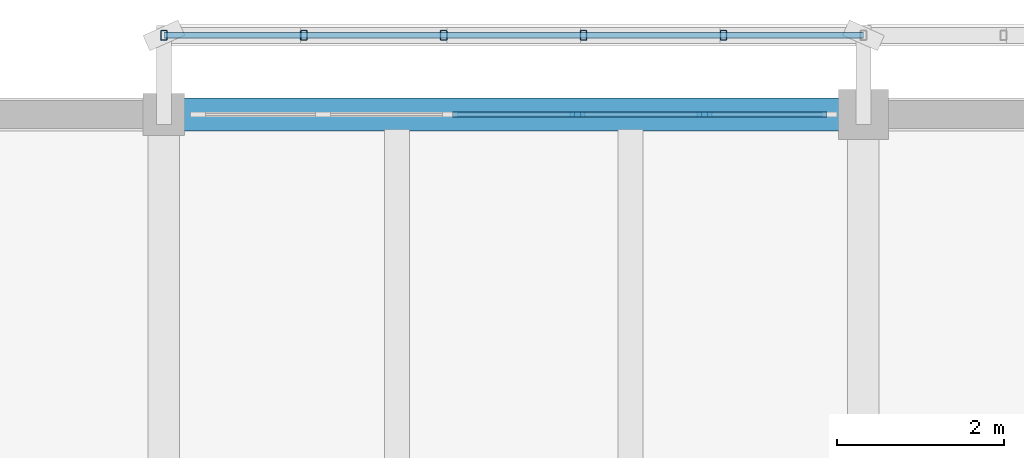
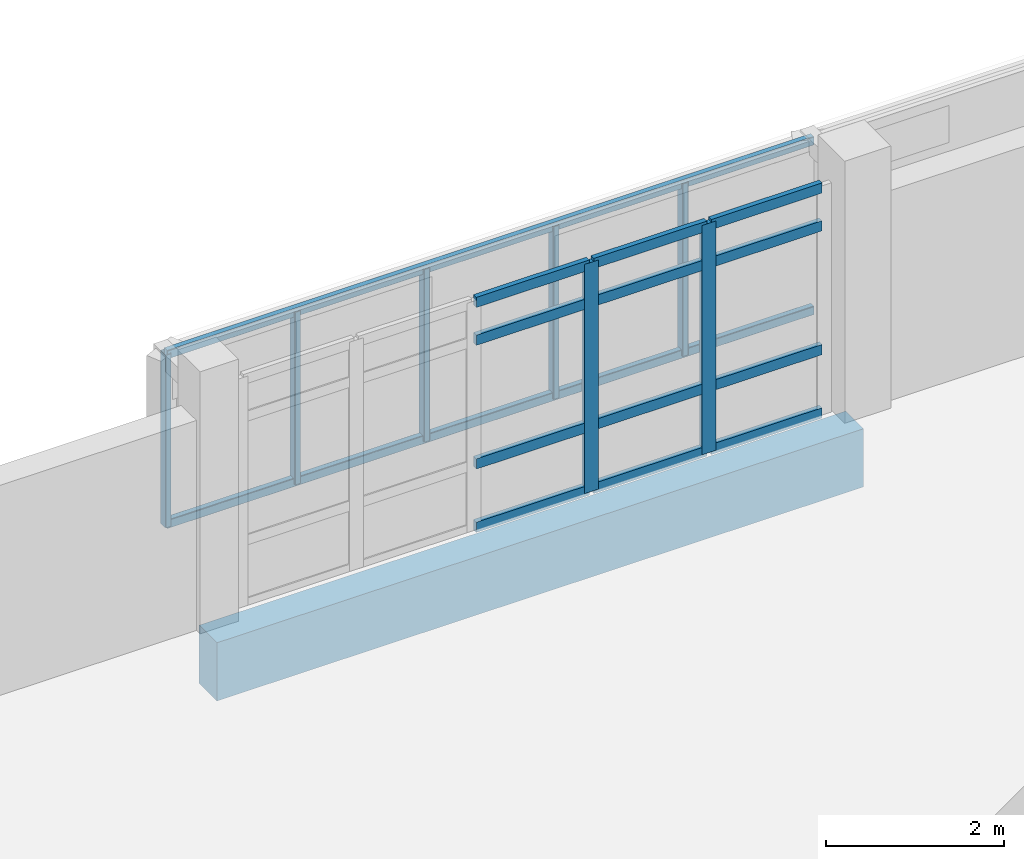
# One storey, part 18 of 50: 21 members, 1 beam, 1 element without a shape of its own.
"""IFC4 building model written with IfcOpenShell, lengths in metres."""

from ifc_helpers import new_model, si_unit, direction, frame, origin, origin_2d, place, context, subcontext, project, spatial, rectangle, hollow_rectangle, extrude, material, material_profile, profile_set, type_object, element, aggregate, save


model = new_model("IFC4")

# Units and contexts
model_context = context("Model", 3, precision=1e-05, world=origin(), true_north=direction((0.0, 1.0)))
body_context = subcontext(model_context, "Body", "Model", "MODEL_VIEW")
ifc_project = project(units=[si_unit("LENGTHUNIT", "METRE"), si_unit("AREAUNIT", "SQUARE_METRE"), si_unit("VOLUMEUNIT", "CUBIC_METRE"), si_unit("PLANEANGLEUNIT", "RADIAN"), si_unit("MASSUNIT", "GRAM", prefix="KILO")], contexts=[model_context])

# Site, building, storey
site_placement = place(None, origin())
site = spatial("IfcSite", under=ifc_project, at=site_placement, CompositionType="ELEMENT")
building_placement = place(site_placement, origin())
building = spatial("IfcBuilding", under=site, at=building_placement, Name="Cinderway Yard Community Centre", CompositionType="ELEMENT")
storey_placement = place(building_placement, frame((0.0, 0.0, 12.89990234375)))
storey = spatial("IfcBuildingStorey", under=building, at=storey_placement, Name="L03", CompositionType="ELEMENT", Elevation=12.89990234375)

# Curtain wall, members
ifc_material_1 = material(Name="Aluminium 6063-T6", Category="aluminium")
curtain_wall_type = type_object("IfcCurtainWallType", Name="ENV-CW-TYPE-32", PredefinedType="USERDEFINED", material=ifc_material_1)
curtain_wall_placement = place(storey_placement, origin())
curtain_wall = element("IfcCurtainWall", 1, at=curtain_wall_placement, inside=storey, type_object=curtain_wall_type, Name="V4 Street Curtain Wall ENV-CW-L03-HS-0161", ObjectType="GLAZED CURTAIN WALL", PredefinedType="USERDEFINED")
ifc_material_profile_1 = material_profile(ifc_material_1, rectangle(XDim=0.06494140625, YDim=0.179931640625, at=origin_2d()), Name="Aluminium 6063-T6")
ifc_profile_set_1 = profile_set([ifc_material_profile_1], Name="Aluminium 6063-T6")
member_type_1 = type_object("IfcMemberType", Name="ENV-CW-MULL-180", PredefinedType="MULLION", material=ifc_profile_set_1)
member_1_placement = place(storey_placement, frame((54.964111328125, 115.199951171875, 0.0), z_axis=(0.0, 0.0, 1.0), x_axis=(0.0, 1.0, 0.0)))
member_1 = element("IfcMember", 2, at=member_1_placement, type_object=member_type_1, Name="CW-32 mullion 4", PredefinedType="MULLION", context=body_context, shape_type="SweptSolid", body=[
    extrude(rectangle(XDim=0.06494140625, YDim=0.179931640625, at=origin_2d()), origin(), (0.0, 0.0, 1.0), 3.150146484375),
])
member_2_placement = place(storey_placement, frame((56.491943359375, 115.199951171875, 0.0), z_axis=(0.0, 0.0, 1.0), x_axis=(0.0, 1.0, 0.0)))
member_2 = element("IfcMember", 3, at=member_2_placement, type_object=member_type_1, Name="CW-32 mullion 5", PredefinedType="MULLION", context=body_context, shape_type="SweptSolid", body=[
    extrude(rectangle(XDim=0.06494140625, YDim=0.179931640625, at=origin_2d()), origin(), (0.0, 0.0, 1.0), 3.150146484375),
])
ifc_material_profile_2 = material_profile(ifc_material_1, rectangle(XDim=0.06494140625, YDim=0.139892578125, at=origin_2d()), Name="Aluminium 6063-T6")
ifc_profile_set_2 = profile_set([ifc_material_profile_2], Name="Aluminium 6063-T6")
member_type_2 = type_object("IfcMemberType", Name="ENV-CW-TRAN-140", PredefinedType="USERDEFINED", material=ifc_profile_set_2)
member_3_placement = place(storey_placement, frame((53.466064453125, 115.199951171875, 0.030029296875), z_axis=(1.0, 0.0, 0.0), x_axis=(0.0, 1.0, 0.0)))
member_3 = element("IfcMember", 4, at=member_3_placement, type_object=member_type_2, Name="CW-32 transom 3.1", ObjectType="TRANSOM", PredefinedType="USERDEFINED", context=body_context, shape_type="SweptSolid", body=[
    extrude(rectangle(XDim=0.06494140625, YDim=0.139892578125, at=origin_2d()), origin(), (0.0, 0.0, 1.0), 1.468017578125),
])
member_4_placement = place(storey_placement, frame((53.466064453125, 115.199951171875, 0.900146484375), z_axis=(1.0, 0.0, 0.0), x_axis=(0.0, 1.0, 0.0)))
member_4 = element("IfcMember", 5, at=member_4_placement, type_object=member_type_2, Name="CW-32 transom 3.2", ObjectType="TRANSOM", PredefinedType="USERDEFINED", context=body_context, shape_type="SweptSolid", body=[
    extrude(rectangle(XDim=0.06494140625, YDim=0.139892578125, at=origin_2d()), origin(), (0.0, 0.0, 1.0), 1.468017578125),
])
member_5_placement = place(storey_placement, frame((53.466064453125, 115.199951171875, 2.60009765625), z_axis=(1.0, 0.0, 0.0), x_axis=(0.0, 1.0, 0.0)))
member_5 = element("IfcMember", 6, at=member_5_placement, type_object=member_type_2, Name="CW-32 transom 3.3", ObjectType="TRANSOM", PredefinedType="USERDEFINED", context=body_context, shape_type="SweptSolid", body=[
    extrude(rectangle(XDim=0.06494140625, YDim=0.139892578125, at=origin_2d()), origin(), (0.0, 0.0, 1.0), 1.468017578125),
])
member_6_placement = place(storey_placement, frame((53.466064453125, 115.199951171875, 3.1201171875), z_axis=(1.0, 0.0, 0.0), x_axis=(0.0, 1.0, 0.0)))
member_6 = element("IfcMember", 7, at=member_6_placement, type_object=member_type_2, Name="CW-32 transom 3.4", ObjectType="TRANSOM", PredefinedType="USERDEFINED", context=body_context, shape_type="SweptSolid", body=[
    extrude(rectangle(XDim=0.06494140625, YDim=0.139892578125, at=origin_2d()), origin(), (0.0, 0.0, 1.0), 1.468017578125),
])
member_7_placement = place(storey_placement, frame((54.993896484375, 115.199951171875, 0.030029296875), z_axis=(1.0, 0.0, 0.0), x_axis=(0.0, 1.0, 0.0)))
member_7 = element("IfcMember", 8, at=member_7_placement, type_object=member_type_2, Name="CW-32 transom 4.1", ObjectType="TRANSOM", PredefinedType="USERDEFINED", context=body_context, shape_type="SweptSolid", body=[
    extrude(rectangle(XDim=0.06494140625, YDim=0.139892578125, at=origin_2d()), origin(), (0.0, 0.0, 1.0), 1.468017578125),
])
member_8_placement = place(storey_placement, frame((54.993896484375, 115.199951171875, 0.900146484375), z_axis=(1.0, 0.0, 0.0), x_axis=(0.0, 1.0, 0.0)))
member_8 = element("IfcMember", 9, at=member_8_placement, type_object=member_type_2, Name="CW-32 transom 4.2", ObjectType="TRANSOM", PredefinedType="USERDEFINED", context=body_context, shape_type="SweptSolid", body=[
    extrude(rectangle(XDim=0.06494140625, YDim=0.139892578125, at=origin_2d()), origin(), (0.0, 0.0, 1.0), 1.468017578125),
])
member_9_placement = place(storey_placement, frame((54.993896484375, 115.199951171875, 2.60009765625), z_axis=(1.0, 0.0, 0.0), x_axis=(0.0, 1.0, 0.0)))
member_9 = element("IfcMember", 10, at=member_9_placement, type_object=member_type_2, Name="CW-32 transom 4.3", ObjectType="TRANSOM", PredefinedType="USERDEFINED", context=body_context, shape_type="SweptSolid", body=[
    extrude(rectangle(XDim=0.06494140625, YDim=0.139892578125, at=origin_2d()), origin(), (0.0, 0.0, 1.0), 1.468017578125),
])
member_10_placement = place(storey_placement, frame((54.993896484375, 115.199951171875, 3.1201171875), z_axis=(1.0, 0.0, 0.0), x_axis=(0.0, 1.0, 0.0)))
member_10 = element("IfcMember", 11, at=member_10_placement, type_object=member_type_2, Name="CW-32 transom 4.4", ObjectType="TRANSOM", PredefinedType="USERDEFINED", context=body_context, shape_type="SweptSolid", body=[
    extrude(rectangle(XDim=0.06494140625, YDim=0.139892578125, at=origin_2d()), origin(), (0.0, 0.0, 1.0), 1.468017578125),
])
member_11_placement = place(storey_placement, frame((56.52197265625, 115.199951171875, 0.030029296875), z_axis=(1.0, 0.0, 0.0), x_axis=(0.0, 1.0, 0.0)))
member_11 = element("IfcMember", 12, at=member_11_placement, type_object=member_type_2, Name="CW-32 transom 5.1", ObjectType="TRANSOM", PredefinedType="USERDEFINED", context=body_context, shape_type="SweptSolid", body=[
    extrude(rectangle(XDim=0.06494140625, YDim=0.139892578125, at=origin_2d()), origin(), (0.0, 0.0, 1.0), 1.43798828125),
])
member_12_placement = place(storey_placement, frame((56.52197265625, 115.199951171875, 0.900146484375), z_axis=(1.0, 0.0, 0.0), x_axis=(0.0, 1.0, 0.0)))
member_12 = element("IfcMember", 13, at=member_12_placement, type_object=member_type_2, Name="CW-32 transom 5.2", ObjectType="TRANSOM", PredefinedType="USERDEFINED", context=body_context, shape_type="SweptSolid", body=[
    extrude(rectangle(XDim=0.06494140625, YDim=0.139892578125, at=origin_2d()), origin(), (0.0, 0.0, 1.0), 1.43798828125),
])
member_13_placement = place(storey_placement, frame((56.52197265625, 115.199951171875, 2.60009765625), z_axis=(1.0, 0.0, 0.0), x_axis=(0.0, 1.0, 0.0)))
member_13 = element("IfcMember", 14, at=member_13_placement, type_object=member_type_2, Name="CW-32 transom 5.3", ObjectType="TRANSOM", PredefinedType="USERDEFINED", context=body_context, shape_type="SweptSolid", body=[
    extrude(rectangle(XDim=0.06494140625, YDim=0.139892578125, at=origin_2d()), origin(), (0.0, 0.0, 1.0), 1.43798828125),
])
member_14_placement = place(storey_placement, frame((56.52197265625, 115.199951171875, 3.1201171875), z_axis=(1.0, 0.0, 0.0), x_axis=(0.0, 1.0, 0.0)))
member_14 = element("IfcMember", 15, at=member_14_placement, type_object=member_type_2, Name="CW-32 transom 5.4", ObjectType="TRANSOM", PredefinedType="USERDEFINED", context=body_context, shape_type="SweptSolid", body=[
    extrude(rectangle(XDim=0.06494140625, YDim=0.139892578125, at=origin_2d()), origin(), (0.0, 0.0, 1.0), 1.43798828125),
])
aggregate(curtain_wall, [member_1, member_2, member_3, member_4, member_5, member_6, member_7, member_8, member_9, member_10, member_11, member_12, member_13, member_14])

# Members
ifc_material_2 = material(Name="Steel S355", Category="steel")
ifc_material_profile_3 = material_profile(ifc_material_2, hollow_rectangle(XDim=0.080078125, YDim=0.1201171875, WallThickness=0.00634765625, InnerFilletRadius=0.00634765625, OuterFilletRadius=0.0126953125, at=origin_2d()), Name="Steel S355")
ifc_profile_set_3 = profile_set([ifc_material_profile_3], Name="Steel S355")
member_type_3 = type_object("IfcMemberType", Name="ENV-MEM-SCREEN-RAIL-120", PredefinedType="STRINGER", material=ifc_profile_set_3)
for number, where, z_axis, x_axis, name in (
    (16, (50.0, 116.14990234375, 0.710205078125), (1.0, 0.0, 0.0), (0.0, 1.0, 0.0), "Screen support rail 0187-BOT"),
    (17, (50.0, 116.14990234375, 3.0400390625), (1.0, 0.0, 0.0), (0.0, 1.0, 0.0), "Screen support rail 0188-TOP"),
):
    element("IfcMember", number, at=place(storey_placement, frame(where, z_axis=z_axis, x_axis=x_axis)), inside=storey, type_object=member_type_3, Name=name, PredefinedType="STRINGER", context=body_context, shape_type="SweptSolid", body=[
        extrude(hollow_rectangle(XDim=0.080078125, YDim=0.1201171875, WallThickness=0.00634765625, InnerFilletRadius=0.00634765625, OuterFilletRadius=0.0126953125, at=origin_2d()), origin(), (0.0, 0.0, 1.0), 8.39990234375),
    ])
for number, where, z_axis, x_axis, name in (
    (18, (50.0, 116.14990234375, 0.690185546875), (0.0, 0.0, 1.0), (1.0, 0.0, 0.0), "Screen vertical mullion 0189"),
    (19, (51.679931640625, 116.14990234375, 0.690185546875), (0.0, 0.0, 1.0), (1.0, 0.0, 0.0), "Screen vertical mullion 0190"),
    (20, (53.360107421875, 116.14990234375, 0.690185546875), (0.0, 0.0, 1.0), (1.0, 0.0, 0.0), "Screen vertical mullion 0191"),
    (21, (55.0400390625, 116.14990234375, 0.690185546875), (0.0, 0.0, 1.0), (1.0, 0.0, 0.0), "Screen vertical mullion 0192"),
    (22, (56.719970703125, 116.14990234375, 0.690185546875), (0.0, 0.0, 1.0), (1.0, 0.0, 0.0), "Screen vertical mullion 0193"),
):
    element("IfcMember", number, at=place(storey_placement, frame(where, z_axis=z_axis, x_axis=x_axis)), inside=storey, type_object=member_type_3, Name=name, PredefinedType="STRINGER", context=body_context, shape_type="SweptSolid", body=[
        extrude(hollow_rectangle(XDim=0.080078125, YDim=0.1201171875, WallThickness=0.00634765625, InnerFilletRadius=0.00634765625, OuterFilletRadius=0.0126953125, at=origin_2d()), origin(), (0.0, 0.0, 1.0), 2.369873046875),
    ])

# Beam
ifc_material_3 = material(Name="Concrete C40/50", Category="concrete")
ifc_material_profile_4 = material_profile(ifc_material_3, rectangle(XDim=0.39990234375, YDim=0.800048828125, at=origin_2d()), Name="Concrete C40/50")
ifc_profile_set_4 = profile_set([ifc_material_profile_4], Name="Concrete C40/50")
beam_type = type_object("IfcBeamType", Name="STR-BM-RC400X800", PredefinedType="BEAM", material=ifc_profile_set_4)
beam_placement = place(storey_placement, frame((50.0, 115.199951171875, -0.639892578125), z_axis=(1.0, 0.0, 0.0), x_axis=(0.0, 1.0, 0.0)))
element("IfcBeam", 23, at=beam_placement, inside=storey, type_object=beam_type, Name="Primary girder STR-BM-L03-BG05-0704", PredefinedType="BEAM", context=body_context, shape_type="SweptSolid", body=[
    extrude(rectangle(XDim=0.39990234375, YDim=0.800048828125, at=origin_2d()), origin(), (0.0, 0.0, 1.0), 8.39990234375),
])

save(model, "model.ifc")
